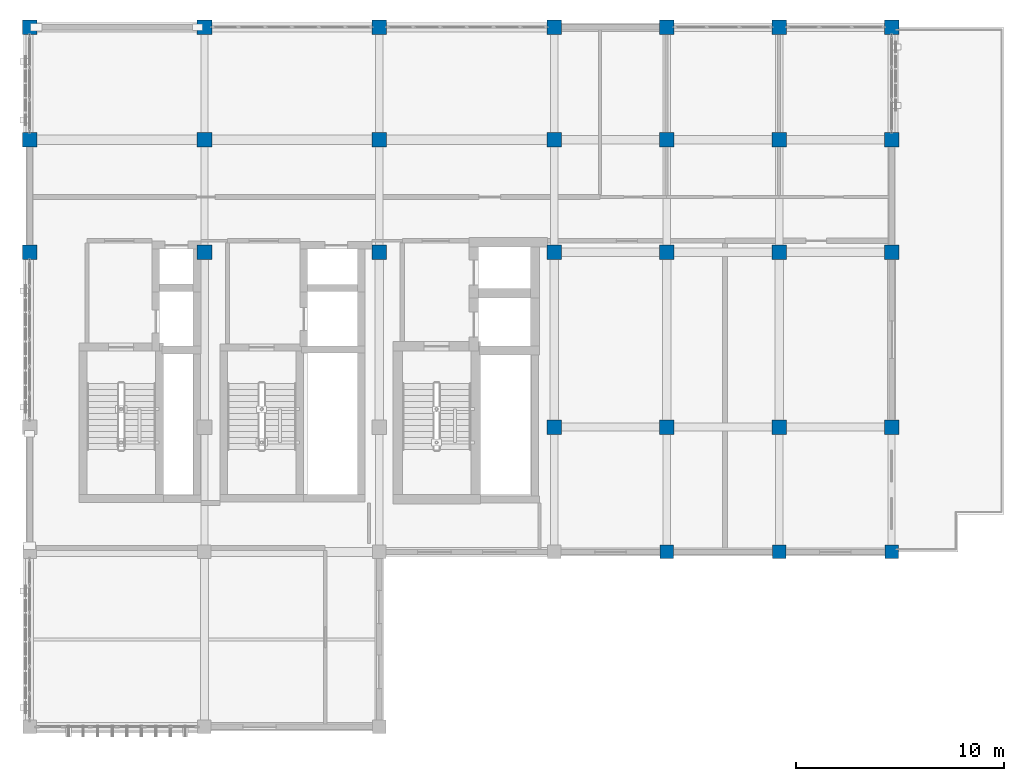
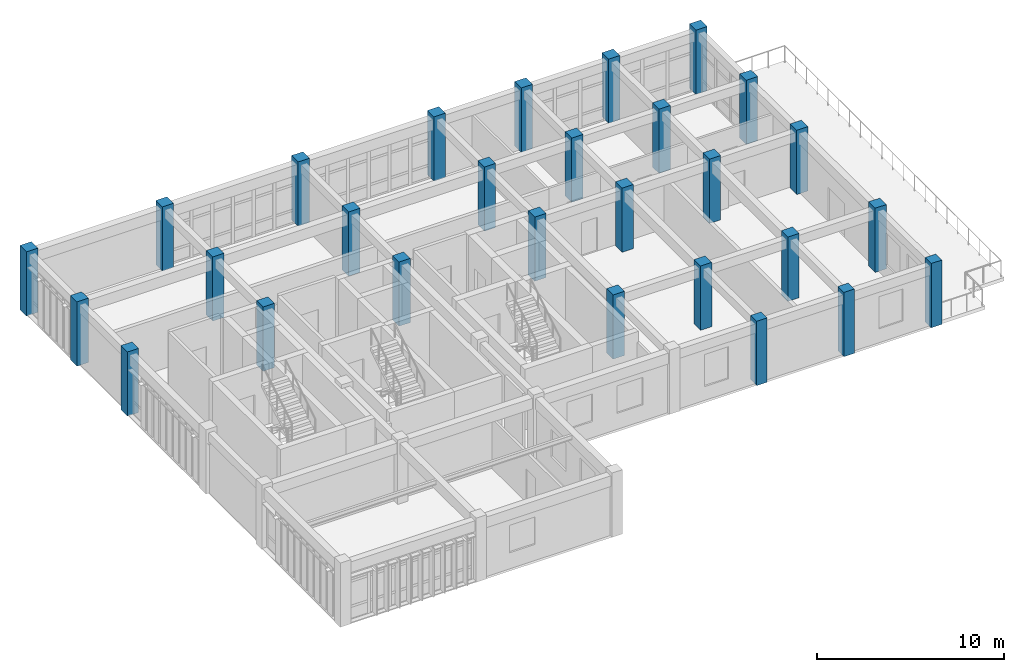
# One storey, part 3 of 22: 28 columns.
"""IFC4 building model written with IfcOpenShell, lengths in metres."""

from ifc_helpers import new_model, si_unit, direction, frame, origin, origin_2d, place, context, subcontext, project, spatial, rectangle, extrude, material, material_profile, profile_set, type_object, element, save


model = new_model("IFC4")

# Units and contexts
model_context = context("Model", 3, precision=1e-05, world=origin(), true_north=direction((0.0, 1.0)))
body_context = subcontext(model_context, "Body", "Model", "MODEL_VIEW")
ifc_project = project(units=[si_unit("LENGTHUNIT", "METRE"), si_unit("AREAUNIT", "SQUARE_METRE"), si_unit("VOLUMEUNIT", "CUBIC_METRE"), si_unit("PLANEANGLEUNIT", "RADIAN"), si_unit("MASSUNIT", "GRAM", prefix="KILO")], contexts=[model_context])

# Site, building, storey
site_placement = place(None, origin())
site = spatial("IfcSite", under=ifc_project, at=site_placement, CompositionType="ELEMENT")
building_placement = place(site_placement, origin())
building = spatial("IfcBuilding", under=site, at=building_placement, Name="Krzemoval Escarpment Law Courts", CompositionType="ELEMENT")
storey_placement = place(building_placement, frame((0.0, 0.0, 29.39990234375)))
storey = spatial("IfcBuildingStorey", under=building, at=storey_placement, Name="L06", CompositionType="ELEMENT", Elevation=29.39990234375)

# Columns
ifc_material_1 = material(Name="Concrete C40/50", Category="concrete")
ifc_material_profile_1 = material_profile(ifc_material_1, rectangle(XDim=0.64990234375, YDim=0.64990234375, at=origin_2d()), Name="RC 650x650")
ifc_profile_set_1 = profile_set([ifc_material_profile_1], Name="Concrete C40/50")
column_type_1 = type_object("IfcColumnType", Name="COL-RC-650", PredefinedType="COLUMN", material=ifc_profile_set_1)
for number, where, z_axis, x_axis, name in (
    (1, (156.60009765625, 93.60009765625, 0.0), (0.0, 0.0, 1.0), (1.0, 0.0, 0.0), "Column FC-L06-1314"),
    (2, (162.0, 93.60009765625, 0.0), (0.0, 0.0, 1.0), (1.0, 0.0, 0.0), "Column FC-L06-1319"),
    (3, (167.39990234375, 93.60009765625, 0.0), (0.0, 0.0, 1.0), (1.0, 0.0, 0.0), "Column FC-L06-1324"),
):
    element("IfcColumn", number, at=place(storey_placement, frame(where, z_axis=z_axis, x_axis=x_axis)), inside=storey, type_object=column_type_1, Name=name, PredefinedType="COLUMN", context=body_context, shape_type="SweptSolid", body=[
        extrude(rectangle(XDim=0.64990234375, YDim=0.64990234375, at=origin_2d()), origin(), (0.0, 0.0, 1.0), 4.2001953125),
    ])
ifc_material_2 = material(Name="Concrete C40/50", Category="concrete")
ifc_material_profile_2 = material_profile(ifc_material_2, rectangle(XDim=0.699951171875, YDim=0.699951171875, at=origin_2d()), Name="RC 700x700")
ifc_profile_set_2 = profile_set([ifc_material_profile_2], Name="Concrete C40/50")
column_type_2 = type_object("IfcColumnType", Name="COL-RC-700", PredefinedType="COLUMN", material=ifc_profile_set_2)
for number, where, z_axis, x_axis, name in (
    (4, (126.0, 108.0, 0.0), (0.0, 0.0, 1.0), (1.0, 0.0, 0.0), "Column FC-L06-1294"),
    (5, (126.0, 113.39990234375, 0.0), (0.0, 0.0, 1.0), (1.0, 0.0, 0.0), "Column FC-L06-1295"),
    (6, (126.0, 118.800048828125, 0.0), (0.0, 0.0, 1.0), (1.0, 0.0, 0.0), "Column FC-L06-1296"),
    (7, (134.39990234375, 108.0, 0.0), (0.0, 0.0, 1.0), (1.0, 0.0, 0.0), "Column FC-L06-1300"),
    (8, (134.39990234375, 113.39990234375, 0.0), (0.0, 0.0, 1.0), (1.0, 0.0, 0.0), "Column FC-L06-1301"),
    (9, (134.39990234375, 118.800048828125, 0.0), (0.0, 0.0, 1.0), (1.0, 0.0, 0.0), "Column FC-L06-1302"),
    (10, (142.800048828125, 108.0, 0.0), (0.0, 0.0, 1.0), (1.0, 0.0, 0.0), "Column FC-L06-1306"),
    (11, (142.800048828125, 113.39990234375, 0.0), (0.0, 0.0, 1.0), (1.0, 0.0, 0.0), "Column FC-L06-1307"),
    (12, (142.800048828125, 118.800048828125, 0.0), (0.0, 0.0, 1.0), (1.0, 0.0, 0.0), "Column FC-L06-1308"),
    (13, (151.199951171875, 99.60009765625, 0.0), (0.0, 0.0, 1.0), (1.0, 0.0, 0.0), "Column FC-L06-1310"),
    (14, (151.199951171875, 108.0, 0.0), (0.0, 0.0, 1.0), (1.0, 0.0, 0.0), "Column FC-L06-1311"),
    (15, (151.199951171875, 113.39990234375, 0.0), (0.0, 0.0, 1.0), (1.0, 0.0, 0.0), "Column FC-L06-1312"),
    (16, (151.199951171875, 118.800048828125, 0.0), (0.0, 0.0, 1.0), (1.0, 0.0, 0.0), "Column FC-L06-1313"),
    (17, (156.60009765625, 99.60009765625, 0.0), (0.0, 0.0, 1.0), (1.0, 0.0, 0.0), "Column FC-L06-1315"),
    (18, (156.60009765625, 108.0, 0.0), (0.0, 0.0, 1.0), (1.0, 0.0, 0.0), "Column FC-L06-1316"),
    (19, (156.60009765625, 113.39990234375, 0.0), (0.0, 0.0, 1.0), (1.0, 0.0, 0.0), "Column FC-L06-1317"),
    (20, (156.60009765625, 118.800048828125, 0.0), (0.0, 0.0, 1.0), (1.0, 0.0, 0.0), "Column FC-L06-1318"),
    (21, (162.0, 99.60009765625, 0.0), (0.0, 0.0, 1.0), (1.0, 0.0, 0.0), "Column FC-L06-1320"),
    (22, (162.0, 108.0, 0.0), (0.0, 0.0, 1.0), (1.0, 0.0, 0.0), "Column FC-L06-1321"),
    (23, (162.0, 113.39990234375, 0.0), (0.0, 0.0, 1.0), (1.0, 0.0, 0.0), "Column FC-L06-1322"),
    (24, (162.0, 118.800048828125, 0.0), (0.0, 0.0, 1.0), (1.0, 0.0, 0.0), "Column FC-L06-1323"),
    (25, (167.39990234375, 99.60009765625, 0.0), (0.0, 0.0, 1.0), (1.0, 0.0, 0.0), "Column FC-L06-1325"),
    (26, (167.39990234375, 108.0, 0.0), (0.0, 0.0, 1.0), (1.0, 0.0, 0.0), "Column FC-L06-1326"),
    (27, (167.39990234375, 113.39990234375, 0.0), (0.0, 0.0, 1.0), (1.0, 0.0, 0.0), "Column FC-L06-1327"),
    (28, (167.39990234375, 118.800048828125, 0.0), (0.0, 0.0, 1.0), (1.0, 0.0, 0.0), "Column FC-L06-1328"),
):
    element("IfcColumn", number, at=place(storey_placement, frame(where, z_axis=z_axis, x_axis=x_axis)), inside=storey, type_object=column_type_2, Name=name, PredefinedType="COLUMN", context=body_context, shape_type="SweptSolid", body=[
        extrude(rectangle(XDim=0.699951171875, YDim=0.699951171875, at=origin_2d()), origin(), (0.0, 0.0, 1.0), 4.2001953125),
    ])

save(model, "model.ifc")
